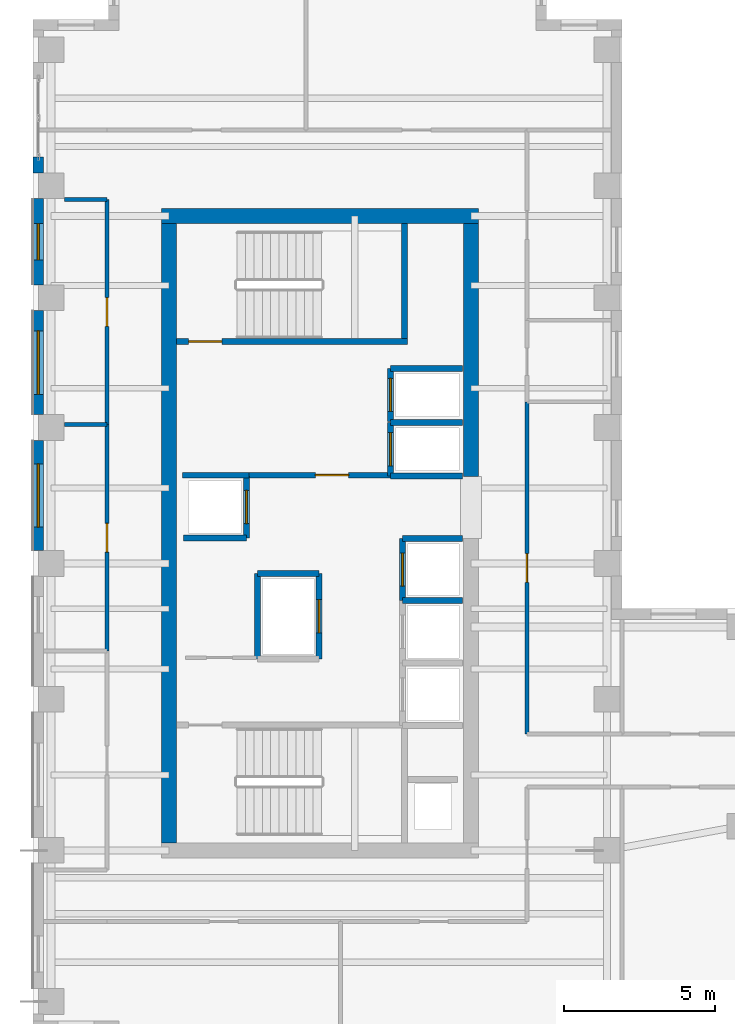
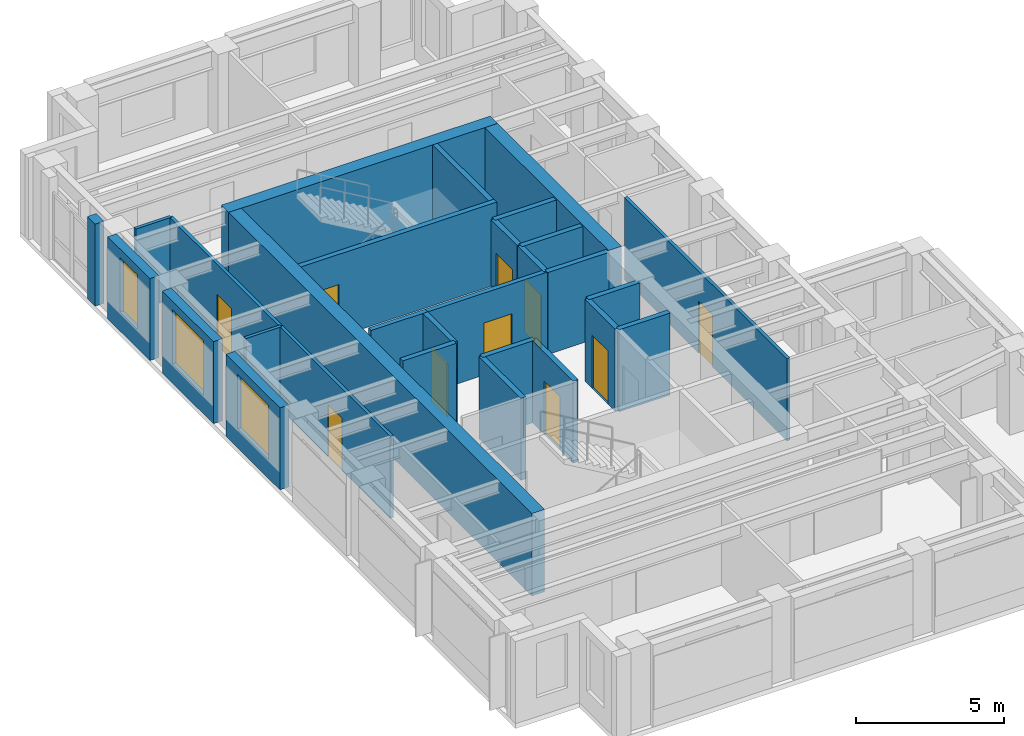
# One storey, part 7 of 10: 29 walls, 10 doors, 3 windows, 13 openings.
"""IFC4 building model written with IfcOpenShell, lengths in metres."""

from ifc_helpers import new_model, si_unit, direction, frame, frame_2d, origin, place, context, subcontext, project, spatial, rectangle, extrude, source, transform, mapped, material, layer, layer_set, type_object, element, fill, save


model = new_model("IFC4")

# Units and contexts
model_context = context("Model", 3, precision=1e-05, world=origin(), true_north=direction((0.0, 1.0)))
body_context = subcontext(model_context, "Body", "Model", "MODEL_VIEW")
ifc_project = project(units=[si_unit("LENGTHUNIT", "METRE"), si_unit("AREAUNIT", "SQUARE_METRE"), si_unit("VOLUMEUNIT", "CUBIC_METRE"), si_unit("PLANEANGLEUNIT", "RADIAN"), si_unit("MASSUNIT", "GRAM", prefix="KILO")], contexts=[model_context])

# Site, building, storey
site_placement = place(None, origin())
site = spatial("IfcSite", under=ifc_project, at=site_placement, CompositionType="ELEMENT")
building_placement = place(site_placement, origin())
building = spatial("IfcBuilding", under=site, at=building_placement, Name="Kharzan Plaza Tower", CompositionType="ELEMENT")
storey_placement = place(building_placement, frame((0.0, 0.0, 266.39990234375)))
storey = spatial("IfcBuildingStorey", under=building, at=storey_placement, Name="L72", CompositionType="ELEMENT", Elevation=266.39990234375)

# Wall, opening, window
ifc_material_1 = material(Name="Concrete C40/50", Category="concrete")
ifc_layer_1 = layer(ifc_material_1, 0.35009765625)
ifc_layer_set_1 = layer_set([ifc_layer_1], Name="Concrete C40/50")
wall_type_1 = type_object("IfcWallType", Name="WL-EXT-MAS-Z4", PredefinedType="SOLIDWALL", material=ifc_layer_set_1)
wall_1_placement = place(storey_placement, frame((0.175048828125, 30.076904296875, 0.0), z_axis=(0.0, 0.0, 1.0), x_axis=(0.0, -1.0, 0.0)))
wall_1 = element("IfcWall", 1, at=wall_1_placement, inside=storey, type_object=wall_type_1, Name="L72 Masonry-Frame Exterior Wall 11", PredefinedType="SOLIDWALL", context=body_context, shape_type="SweptSolid", body=[
    extrude(rectangle(XDim=2.85400390625, YDim=0.35009765625, at=frame_2d((1.427001953125, 0.0))), origin(), (0.0, 0.0, 1.0), 3.385009765625),
])
opening_1_placement = place(wall_1_placement, frame((0.826904296875, 0.0, 0.780029296875)))
opening_1 = element("IfcOpeningElement", 2, at=opening_1_placement, cuts=wall_1, Name="Opening W3", PredefinedType="OPENING", context=body_context, shape_type="SweptSolid", body=[
    extrude(rectangle(XDim=1.199951171875, YDim=2.25, at=frame_2d((0.60009765625, 1.125))), frame((0.0, 0.18505859375, 0.0), z_axis=(0.0, -1.0, 0.0), x_axis=(1.0, 0.0, 0.0)), (0.0, 0.0, 1.0), 0.3701171875),
])
ifc_material_2 = material(Name="Low-E Double Glazing", Category="glass")
window_type_1 = type_object("IfcWindowType", Name="WN-REC-1200x2100", PartitioningType="SINGLE_PANEL", PredefinedType="WINDOW", material=ifc_material_2)
shared_shape_1 = source(origin(), body_context, "Body", "SweptSolid", [
    extrude(rectangle(XDim=1.199951171875, YDim=2.25, at=frame_2d((0.60009765625, 1.125))), frame((0.0, 0.030029296875, 0.0), z_axis=(0.0, -1.0, 0.0), x_axis=(1.0, 0.0, 0.0)), (0.0, 0.0, 1.0), 0.06005859375),
])
window_1_placement = place(opening_1_placement, origin())
window_1 = element("IfcWindow", 3, at=window_1_placement, inside=storey, type_object=window_type_1, Name="L72 Recessed Solar-Control Window 11-1", OverallHeight=2.25, OverallWidth=1.199951171875, PartitioningType="SINGLE_PANEL", PredefinedType="WINDOW", context=body_context, shape_type="MappedRepresentation", body=[
    mapped(shared_shape_1, transform((0.0, 0.0, 0.0), x_axis=(1.0, 0.0, 0.0), y_axis=(0.0, 1.0, 0.0), z_axis=(0.0, 0.0, 1.0))),
])
fill(opening_1, window_1)

wall_2_placement = place(storey_placement, frame((0.175048828125, 26.376953125, 0.0), z_axis=(0.0, 0.0, 1.0), x_axis=(0.0, -1.0, 0.0)))
wall_2 = element("IfcWall", 4, at=wall_2_placement, inside=storey, type_object=wall_type_1, Name="L72 Masonry-Frame Exterior Wall 12", PredefinedType="SOLIDWALL", context=body_context, shape_type="SweptSolid", body=[
    extrude(rectangle(XDim=3.453857421875, YDim=0.35009765625, at=frame_2d((1.72705078125, 0.0))), origin(), (0.0, 0.0, 1.0), 3.385009765625),
])
opening_2_placement = place(wall_2_placement, frame((0.677001953125, 0.0, 0.780029296875)))
opening_2 = element("IfcOpeningElement", 5, at=opening_2_placement, cuts=wall_2, Name="Opening W6", PredefinedType="OPENING", context=body_context, shape_type="SweptSolid", body=[
    extrude(rectangle(XDim=2.10009765625, YDim=2.25, at=frame_2d((1.050048828125, 1.125))), frame((0.0, 0.18505859375, 0.0), z_axis=(0.0, -1.0, 0.0), x_axis=(1.0, 0.0, 0.0)), (0.0, 0.0, 1.0), 0.3701171875),
])
window_type_2 = type_object("IfcWindowType", Name="WN-EXEC-2100x2250", PartitioningType="SINGLE_PANEL", PredefinedType="WINDOW", material=ifc_material_2)
shared_shape_2 = source(origin(), body_context, "Body", "SweptSolid", [
    extrude(rectangle(XDim=2.10009765625, YDim=2.25, at=frame_2d((1.050048828125, 1.125))), frame((0.0, 0.030029296875, 0.0), z_axis=(0.0, -1.0, 0.0), x_axis=(1.0, 0.0, 0.0)), (0.0, 0.0, 1.0), 0.06005859375),
])
window_2_placement = place(opening_2_placement, origin())
window_2 = element("IfcWindow", 6, at=window_2_placement, inside=storey, type_object=window_type_2, Name="L72 Recessed Solar-Control Window 12-1", OverallHeight=2.25, OverallWidth=2.10009765625, PartitioningType="SINGLE_PANEL", PredefinedType="WINDOW", context=body_context, shape_type="MappedRepresentation", body=[
    mapped(shared_shape_2, transform((0.0, 0.0, 0.0), x_axis=(1.0, 0.0, 0.0), y_axis=(0.0, 1.0, 0.0), z_axis=(0.0, 0.0, 1.0))),
])
fill(opening_2, window_2)

wall_3_placement = place(storey_placement, frame((0.175048828125, 22.076904296875, 0.0), z_axis=(0.0, 0.0, 1.0), x_axis=(0.0, -1.0, 0.0)))
wall_3 = element("IfcWall", 7, at=wall_3_placement, inside=storey, type_object=wall_type_1, Name="L72 Masonry-Frame Exterior Wall 13", PredefinedType="SOLIDWALL", context=body_context, shape_type="SweptSolid", body=[
    extrude(rectangle(XDim=3.65380859375, YDim=0.35009765625, at=frame_2d((1.826904296875, 0.0))), origin(), (0.0, 0.0, 1.0), 3.385009765625),
])
opening_3_placement = place(wall_3_placement, frame((0.777099609375, 0.0, 0.780029296875)))
opening_3 = element("IfcOpeningElement", 8, at=opening_3_placement, cuts=wall_3, Name="Opening W6", PredefinedType="OPENING", context=body_context, shape_type="SweptSolid", body=[
    extrude(rectangle(XDim=2.10009765625, YDim=2.25, at=frame_2d((1.050048828125, 1.125))), frame((0.0, 0.18505859375, 0.0), z_axis=(0.0, -1.0, 0.0), x_axis=(1.0, 0.0, 0.0)), (0.0, 0.0, 1.0), 0.3701171875),
])
window_3_placement = place(opening_3_placement, origin())
window_3 = element("IfcWindow", 9, at=window_3_placement, inside=storey, type_object=window_type_2, Name="L72 Recessed Solar-Control Window 13-1", OverallHeight=2.25, OverallWidth=2.10009765625, PartitioningType="SINGLE_PANEL", PredefinedType="WINDOW", context=body_context, shape_type="MappedRepresentation", body=[
    mapped(shared_shape_2, transform((0.0, 0.0, 0.0), x_axis=(1.0, 0.0, 0.0), y_axis=(0.0, 1.0, 0.0), z_axis=(0.0, 0.0, 1.0))),
])
fill(opening_3, window_3)

# Wall, opening, door
ifc_layer_2 = layer(ifc_material_1, 0.179931640625)
ifc_layer_set_2 = layer_set([ifc_layer_2], Name="Concrete C40/50")
wall_type_2 = type_object("IfcWallType", Name="WL-INT-FIRE-180", PredefinedType="PARTITIONING", material=ifc_layer_set_2)
wall_4_placement = place(storey_placement, frame((7.14990234375, 20.919921875, 0.0), z_axis=(0.0, 0.0, 1.0), x_axis=(1.0, 0.0, 0.0)))
wall_4 = element("IfcWall", 10, at=wall_4_placement, inside=storey, type_object=wall_type_2, Name="L72 Interior Partition CA-FF-S", PredefinedType="PARTITIONING", context=body_context, shape_type="SweptSolid", body=[
    extrude(rectangle(XDim=4.68017578125, YDim=0.179931640625, at=frame_2d((2.340087890625, 0.0))), origin(), (0.0, 0.0, 1.0), 3.385009765625),
])
opening_4_placement = place(wall_4_placement, frame((2.199951171875, 0.0, 0.0)))
opening_4 = element("IfcOpeningElement", 11, at=opening_4_placement, cuts=wall_4, Name="Opening FD1", PredefinedType="OPENING", context=body_context, shape_type="SweptSolid", body=[
    extrude(rectangle(XDim=1.10009765625, YDim=2.14990234375, at=frame_2d((0.550048828125, 1.074951171875))), frame((0.0, 0.099853515625, 0.0), z_axis=(0.0, -1.0, 0.0), x_axis=(1.0, 0.0, 0.0)), (0.0, 0.0, 1.0), 0.199951171875),
])
ifc_material_3 = material(Name="Fire-Rated Acoustic Vision-Panel Steel", Category="steel")
door_type_1 = type_object("IfcDoorType", Name="DR-FIRE-LOBBY", OperationType="NOTDEFINED", PredefinedType="DOOR", material=ifc_material_3)
shared_shape_3 = source(origin(), body_context, "Body", "SweptSolid", [
    extrude(rectangle(XDim=1.10009765625, YDim=2.14990234375, at=frame_2d((0.550048828125, 1.074951171875))), frame((0.0, 0.02490234375, 0.0), z_axis=(0.0, -1.0, 0.0), x_axis=(1.0, 0.0, 0.0)), (0.0, 0.0, 1.0), 0.050048828125),
])
door_1_placement = place(opening_4_placement, origin())
door_1 = element("IfcDoor", 12, at=door_1_placement, inside=storey, type_object=door_type_1, Name="L72 Firefighting Lobby Door", OperationType="SINGLE_SWING_LEFT", OverallHeight=2.14990234375, OverallWidth=1.10009765625, PredefinedType="DOOR", context=body_context, shape_type="MappedRepresentation", body=[
    mapped(shared_shape_3, transform((0.0, 0.0, 0.0), x_axis=(1.0, 0.0, 0.0), y_axis=(0.0, 1.0, 0.0), z_axis=(0.0, 0.0, 1.0))),
])
fill(opening_4, door_1)

ifc_material_4 = material(Name="Fire-Rated Gypsum Board Partition", Category="gypsum")
ifc_layer_3 = layer(ifc_material_4, 0.125)
ifc_layer_set_3 = layer_set([ifc_layer_3], Name="Fire-Rated Gypsum Board Partition")
wall_type_3 = type_object("IfcWallType", Name="WL-INT-PART-125", PredefinedType="PARTITIONING", material=ifc_layer_set_3)
wall_5_placement = place(storey_placement, frame((16.35009765625, 12.35009765625, 0.0), z_axis=(0.0, 0.0, 1.0), x_axis=(0.0, 1.0, 0.0)))
wall_5 = element("IfcWall", 13, at=wall_5_placement, inside=storey, type_object=wall_type_3, Name="L72 Interior Partition SH-AEW2", PredefinedType="PARTITIONING", context=body_context, shape_type="SweptSolid", body=[
    extrude(rectangle(XDim=11.0, YDim=0.125, at=frame_2d((5.5, 0.0))), origin(), (0.0, 0.0, 1.0), 3.385009765625),
])
opening_5_placement = place(wall_5_placement, frame((5.02490234375, 0.0, 0.0)))
opening_5 = element("IfcOpeningElement", 14, at=opening_5_placement, cuts=wall_5, Name="Opening OD1", PredefinedType="OPENING", context=body_context, shape_type="SweptSolid", body=[
    extrude(rectangle(XDim=0.949951171875, YDim=2.14990234375, at=frame_2d((0.47509765625, 1.074951171875))), frame((0.0, 0.072509765625, 0.0), z_axis=(0.0, -1.0, 0.0), x_axis=(1.0, 0.0, 0.0)), (0.0, 0.0, 1.0), 0.14501953125),
])
ifc_material_5 = material(Name="Acoustic Solid-Core Stained Oak", Category="timber")
door_type_2 = type_object("IfcDoorType", Name="DR-OFF-SINGLE", OperationType="NOTDEFINED", PredefinedType="DOOR", material=ifc_material_5)
shared_shape_4 = source(origin(), body_context, "Body", "SweptSolid", [
    extrude(rectangle(XDim=0.949951171875, YDim=2.14990234375, at=frame_2d((0.47509765625, 1.074951171875))), frame((0.0, 0.02490234375, 0.0), z_axis=(0.0, -1.0, 0.0), x_axis=(1.0, 0.0, 0.0)), (0.0, 0.0, 1.0), 0.050048828125),
])
door_2_placement = place(opening_5_placement, origin())
door_2 = element("IfcDoor", 15, at=door_2_placement, inside=storey, type_object=door_type_2, Name="L72 Briefing Room Door", OperationType="SINGLE_SWING_LEFT", OverallHeight=2.14990234375, OverallWidth=0.949951171875, PredefinedType="DOOR", context=body_context, shape_type="MappedRepresentation", body=[
    mapped(shared_shape_4, transform((0.0, 0.0, 0.0), x_axis=(1.0, 0.0, 0.0), y_axis=(0.0, 1.0, 0.0), z_axis=(0.0, 0.0, 1.0))),
])
fill(opening_5, door_2)

wall_6_placement = place(storey_placement, frame((2.449951171875, 15.10009765625, 0.0), z_axis=(0.0, 0.0, 1.0), x_axis=(0.0, 1.0, 0.0)))
wall_6 = element("IfcWall", 16, at=wall_6_placement, inside=storey, type_object=wall_type_3, Name="L72 Interior Partition SH-WW-2", PredefinedType="PARTITIONING", context=body_context, shape_type="SweptSolid", body=[
    extrude(rectangle(XDim=7.5, YDim=0.125, at=frame_2d((3.75, 0.0))), origin(), (0.0, 0.0, 1.0), 3.385009765625),
])
opening_6_placement = place(wall_6_placement, frame((3.27490234375, 0.0, 0.0)))
opening_6 = element("IfcOpeningElement", 17, at=opening_6_placement, cuts=wall_6, Name="Opening OD1", PredefinedType="OPENING", context=body_context, shape_type="SweptSolid", body=[
    extrude(rectangle(XDim=0.949951171875, YDim=2.14990234375, at=frame_2d((0.47509765625, 1.074951171875))), frame((0.0, 0.072509765625, 0.0), z_axis=(0.0, -1.0, 0.0), x_axis=(1.0, 0.0, 0.0)), (0.0, 0.0, 1.0), 0.14501953125),
])
door_3_placement = place(opening_6_placement, origin())
door_3 = element("IfcDoor", 18, at=door_3_placement, inside=storey, type_object=door_type_2, Name="L72 Sprint Review Meeting Room Door", OperationType="SINGLE_SWING_RIGHT", OverallHeight=2.14990234375, OverallWidth=0.949951171875, PredefinedType="DOOR", context=body_context, shape_type="MappedRepresentation", body=[
    mapped(shared_shape_4, transform((0.0, 0.0, 0.0), x_axis=(1.0, 0.0, 0.0), y_axis=(0.0, 1.0, 0.0), z_axis=(0.0, 0.0, 1.0))),
])
fill(opening_6, door_3)

wall_7_placement = place(storey_placement, frame((2.449951171875, 22.60009765625, 0.0), z_axis=(0.0, 0.0, 1.0), x_axis=(0.0, 1.0, 0.0)))
wall_7 = element("IfcWall", 19, at=wall_7_placement, inside=storey, type_object=wall_type_3, Name="L72 Interior Partition SH-WW-3", PredefinedType="PARTITIONING", context=body_context, shape_type="SweptSolid", body=[
    extrude(rectangle(XDim=7.449951171875, YDim=0.125, at=frame_2d((3.72509765625, 0.0))), origin(), (0.0, 0.0, 1.0), 3.385009765625),
])
opening_7_placement = place(wall_7_placement, frame((3.25, 0.0, 0.0)))
opening_7 = element("IfcOpeningElement", 20, at=opening_7_placement, cuts=wall_7, Name="Opening OD1", PredefinedType="OPENING", context=body_context, shape_type="SweptSolid", body=[
    extrude(rectangle(XDim=0.949951171875, YDim=2.14990234375, at=frame_2d((0.47509765625, 1.074951171875))), frame((0.0, 0.072509765625, 0.0), z_axis=(0.0, -1.0, 0.0), x_axis=(1.0, 0.0, 0.0)), (0.0, 0.0, 1.0), 0.14501953125),
])
door_4_placement = place(opening_7_placement, origin())
door_4 = element("IfcDoor", 21, at=door_4_placement, inside=storey, type_object=door_type_2, Name="L72 Hardware Staging Store Door", OperationType="SINGLE_SWING_LEFT", OverallHeight=2.14990234375, OverallWidth=0.949951171875, PredefinedType="DOOR", context=body_context, shape_type="MappedRepresentation", body=[
    mapped(shared_shape_4, transform((0.0, 0.0, 0.0), x_axis=(1.0, 0.0, 0.0), y_axis=(0.0, 1.0, 0.0), z_axis=(0.0, 0.0, 1.0))),
])
fill(opening_7, door_4)

ifc_layer_4 = layer(ifc_material_1, 0.199951171875)
ifc_layer_set_4 = layer_set([ifc_layer_4], Name="Concrete C40/50")
wall_type_4 = type_object("IfcWallType", Name="WL-INT-SHAFT-200", PredefinedType="PARTITIONING", material=ifc_layer_set_4)
wall_8_placement = place(storey_placement, frame((11.830078125, 20.89990234375, 0.0), z_axis=(0.0, 0.0, 1.0), x_axis=(0.0, 1.0, 0.0)))
wall_8 = element("IfcWall", 22, at=wall_8_placement, inside=storey, type_object=wall_type_4, Name="L72 Interior Partition SHF-FFL-1-W", PredefinedType="PARTITIONING", context=body_context, shape_type="SweptSolid", body=[
    extrude(rectangle(XDim=1.760009765625, YDim=0.199951171875, at=frame_2d((0.8798828125, 0.0))), origin(), (0.0, 0.0, 1.0), 3.385009765625),
])
opening_8_placement = place(wall_8_placement, frame((0.330078125, 0.0, 0.0)))
opening_8 = element("IfcOpeningElement", 23, at=opening_8_placement, cuts=wall_8, Name="Opening LD", PredefinedType="OPENING", context=body_context, shape_type="SweptSolid", body=[
    extrude(rectangle(XDim=1.10009765625, YDim=2.199951171875, at=frame_2d((0.550048828125, 1.10009765625))), frame((0.0, 0.10986328125, 0.0), z_axis=(0.0, -1.0, 0.0), x_axis=(1.0, 0.0, 0.0)), (0.0, 0.0, 1.0), 0.219970703125),
])
ifc_material_6 = material(Name="Brushed Stainless Steel", Category="steel")
door_type_3 = type_object("IfcDoorType", Name="DR-LIFT-SLIDE", OperationType="SLIDING_TO_LEFT", PredefinedType="DOOR", material=ifc_material_6)
shared_shape_5 = source(origin(), body_context, "Body", "SweptSolid", [
    extrude(rectangle(XDim=1.10009765625, YDim=2.199951171875, at=frame_2d((0.550048828125, 1.10009765625))), frame((0.0, 0.02490234375, 0.0), z_axis=(0.0, -1.0, 0.0), x_axis=(1.0, 0.0, 0.0)), (0.0, 0.0, 1.0), 0.050048828125),
])
door_5_placement = place(opening_8_placement, origin())
door_5 = element("IfcDoor", 24, at=door_5_placement, inside=storey, type_object=door_type_3, Name="L72 Firefighting Lift FFL-1 Sliding Landing Door", OperationType="SLIDING_TO_LEFT", OverallHeight=2.199951171875, OverallWidth=1.10009765625, PredefinedType="DOOR", context=body_context, shape_type="MappedRepresentation", body=[
    mapped(shared_shape_5, transform((0.0, 0.0, 0.0), x_axis=(1.0, 0.0, 0.0), y_axis=(0.0, 1.0, 0.0), z_axis=(0.0, 0.0, 1.0))),
])
fill(opening_8, door_5)

wall_9_placement = place(storey_placement, frame((11.830078125, 22.699951171875, 0.0), z_axis=(0.0, 0.0, 1.0), x_axis=(0.0, 1.0, 0.0)))
wall_9 = element("IfcWall", 25, at=wall_9_placement, inside=storey, type_object=wall_type_4, Name="L72 Interior Partition SHF-FFL-2-W", PredefinedType="PARTITIONING", context=body_context, shape_type="SweptSolid", body=[
    extrude(rectangle(XDim=1.760009765625, YDim=0.199951171875, at=frame_2d((0.8798828125, 0.0))), origin(), (0.0, 0.0, 1.0), 3.385009765625),
])
opening_9_placement = place(wall_9_placement, frame((0.330078125, 0.0, 0.0)))
opening_9 = element("IfcOpeningElement", 26, at=opening_9_placement, cuts=wall_9, Name="Opening LD", PredefinedType="OPENING", context=body_context, shape_type="SweptSolid", body=[
    extrude(rectangle(XDim=1.10009765625, YDim=2.199951171875, at=frame_2d((0.550048828125, 1.10009765625))), frame((0.0, 0.10986328125, 0.0), z_axis=(0.0, -1.0, 0.0), x_axis=(1.0, 0.0, 0.0)), (0.0, 0.0, 1.0), 0.219970703125),
])
door_6_placement = place(opening_9_placement, origin())
door_6 = element("IfcDoor", 27, at=door_6_placement, inside=storey, type_object=door_type_3, Name="L72 Firefighting Lift FFL-2 Sliding Landing Door", OperationType="SLIDING_TO_LEFT", OverallHeight=2.199951171875, OverallWidth=1.10009765625, PredefinedType="DOOR", context=body_context, shape_type="MappedRepresentation", body=[
    mapped(shared_shape_5, transform((0.0, 0.0, 0.0), x_axis=(1.0, 0.0, 0.0), y_axis=(0.0, 1.0, 0.0), z_axis=(0.0, 0.0, 1.0))),
])
fill(opening_9, door_6)

wall_10_placement = place(storey_placement, frame((12.22998046875, 16.77001953125, 0.0), z_axis=(0.0, 0.0, 1.0), x_axis=(0.0, 1.0, 0.0)))
wall_10 = element("IfcWall", 28, at=wall_10_placement, inside=storey, type_object=wall_type_4, Name="L72 Interior Partition SHF-PL-H3-W", PredefinedType="PARTITIONING", context=body_context, shape_type="SweptSolid", body=[
    extrude(rectangle(XDim=2.050048828125, YDim=0.199951171875, at=frame_2d((1.02490234375, 0.0))), origin(), (0.0, 0.0, 1.0), 3.385009765625),
])
opening_10_placement = place(wall_10_placement, frame((0.47509765625, 0.0, 0.0)))
opening_10 = element("IfcOpeningElement", 29, at=opening_10_placement, cuts=wall_10, Name="Opening LD", PredefinedType="OPENING", context=body_context, shape_type="SweptSolid", body=[
    extrude(rectangle(XDim=1.10009765625, YDim=2.199951171875, at=frame_2d((0.550048828125, 1.10009765625))), frame((0.0, 0.10986328125, 0.0), z_axis=(0.0, -1.0, 0.0), x_axis=(1.0, 0.0, 0.0)), (0.0, 0.0, 1.0), 0.219970703125),
])
door_7_placement = place(opening_10_placement, origin())
door_7 = element("IfcDoor", 30, at=door_7_placement, inside=storey, type_object=door_type_3, Name="L72 High-Rise Passenger Lift PL-H3 Sliding Landing Door", OperationType="SLIDING_TO_LEFT", OverallHeight=2.199951171875, OverallWidth=1.10009765625, PredefinedType="DOOR", context=body_context, shape_type="MappedRepresentation", body=[
    mapped(shared_shape_5, transform((0.0, 0.0, 0.0), x_axis=(1.0, 0.0, 0.0), y_axis=(0.0, 1.0, 0.0), z_axis=(0.0, 0.0, 1.0))),
])
fill(opening_10, door_7)

wall_11_placement = place(storey_placement, frame((7.070068359375, 18.840087890625, 0.0), z_axis=(0.0, 0.0, 1.0), x_axis=(0.0, 1.0, 0.0)))
wall_11 = element("IfcWall", 31, at=wall_11_placement, inside=storey, type_object=wall_type_4, Name="L72 Interior Partition SHF-PL-H4-E", PredefinedType="PARTITIONING", context=body_context, shape_type="SweptSolid", body=[
    extrude(rectangle(XDim=2.059814453125, YDim=0.199951171875, at=frame_2d((1.02978515625, 0.0))), origin(), (0.0, 0.0, 1.0), 3.385009765625),
])
opening_11_placement = place(wall_11_placement, frame((0.47998046875, 0.0, 0.0)))
opening_11 = element("IfcOpeningElement", 32, at=opening_11_placement, cuts=wall_11, Name="Opening LD", PredefinedType="OPENING", context=body_context, shape_type="SweptSolid", body=[
    extrude(rectangle(XDim=1.10009765625, YDim=2.199951171875, at=frame_2d((0.550048828125, 1.10009765625))), frame((0.0, 0.10986328125, 0.0), z_axis=(0.0, -1.0, 0.0), x_axis=(1.0, 0.0, 0.0)), (0.0, 0.0, 1.0), 0.219970703125),
])
door_8_placement = place(opening_11_placement, origin())
door_8 = element("IfcDoor", 33, at=door_8_placement, inside=storey, type_object=door_type_3, Name="L72 High-Rise Passenger Lift PL-H4 Sliding Landing Door", OperationType="SLIDING_TO_LEFT", OverallHeight=2.199951171875, OverallWidth=1.10009765625, PredefinedType="DOOR", context=body_context, shape_type="MappedRepresentation", body=[
    mapped(shared_shape_5, transform((0.0, 0.0, 0.0), x_axis=(1.0, 0.0, 0.0), y_axis=(0.0, 1.0, 0.0), z_axis=(0.0, 0.0, 1.0))),
])
fill(opening_11, door_8)

wall_12_placement = place(storey_placement, frame((9.469970703125, 14.830078125, 0.0), z_axis=(0.0, 0.0, 1.0), x_axis=(0.0, 1.0, 0.0)))
wall_12 = element("IfcWall", 34, at=wall_12_placement, inside=storey, type_object=wall_type_4, Name="L72 Interior Partition SHF-SVL-1-E", PredefinedType="PARTITIONING", context=body_context, shape_type="SweptSolid", body=[
    extrude(rectangle(XDim=2.83984375, YDim=0.199951171875, at=frame_2d((1.419921875, 0.0))), origin(), (0.0, 0.0, 1.0), 3.385009765625),
])
opening_12_placement = place(wall_12_placement, frame((0.8701171875, 0.0, 0.0)))
opening_12 = element("IfcOpeningElement", 35, at=opening_12_placement, cuts=wall_12, Name="Opening LD", PredefinedType="OPENING", context=body_context, shape_type="SweptSolid", body=[
    extrude(rectangle(XDim=1.10009765625, YDim=2.199951171875, at=frame_2d((0.550048828125, 1.10009765625))), frame((0.0, 0.10986328125, 0.0), z_axis=(0.0, -1.0, 0.0), x_axis=(1.0, 0.0, 0.0)), (0.0, 0.0, 1.0), 0.219970703125),
])
door_9_placement = place(opening_12_placement, origin())
door_9 = element("IfcDoor", 36, at=door_9_placement, inside=storey, type_object=door_type_3, Name="L72 Service Lift SVL-1 Sliding Landing Door", OperationType="SLIDING_TO_LEFT", OverallHeight=2.199951171875, OverallWidth=1.10009765625, PredefinedType="DOOR", context=body_context, shape_type="MappedRepresentation", body=[
    mapped(shared_shape_5, transform((0.0, 0.0, 0.0), x_axis=(1.0, 0.0, 0.0), y_axis=(0.0, 1.0, 0.0), z_axis=(0.0, 0.0, 1.0))),
])
fill(opening_12, door_9)

ifc_material_7 = material(Name="Concrete C50/60", Category="concrete")
ifc_layer_5 = layer(ifc_material_7, 0.199951171875)
ifc_layer_set_5 = layer_set([ifc_layer_5], Name="Concrete C50/60")
wall_type_5 = type_object("IfcWallType", Name="WL-SHAFT-RC200", PredefinedType="SHEAR", material=ifc_layer_set_5)
wall_13_placement = place(storey_placement, frame((4.751953125, 25.344970703125, 0.0), z_axis=(0.0, 0.0, 1.0), x_axis=(1.0, 0.0, 0.0)))
wall_13 = element("IfcWall", 37, at=wall_13_placement, inside=storey, type_object=wall_type_5, Name="L72 Stair ST-2 South RC Shaft Wall", PredefinedType="SHEAR", context=body_context, shape_type="SweptSolid", body=[
    extrude(rectangle(XDim=7.653076171875, YDim=0.199951171875, at=frame_2d((3.82666015625, 0.0))), origin(), (0.0, 0.0, 1.0), 3.400146484375),
])
opening_13_placement = place(wall_13_placement, frame((0.39990234375, 0.0, 0.0)))
opening_13 = element("IfcOpeningElement", 38, at=opening_13_placement, cuts=wall_13, Name="Opening SD1", PredefinedType="OPENING", context=body_context, shape_type="SweptSolid", body=[
    extrude(rectangle(XDim=1.10009765625, YDim=2.14990234375, at=frame_2d((0.550048828125, 1.074951171875))), frame((0.0, 0.10986328125, 0.0), z_axis=(0.0, -1.0, 0.0), x_axis=(1.0, 0.0, 0.0)), (0.0, 0.0, 1.0), 0.219970703125),
])
ifc_material_8 = material(Name="Fire-Rated Hollow Galvanized Steel", Category="steel")
door_type_4 = type_object("IfcDoorType", Name="DR-STAIR-FD120", OperationType="NOTDEFINED", PredefinedType="DOOR", material=ifc_material_8)
shared_shape_6 = source(origin(), body_context, "Body", "SweptSolid", [
    extrude(rectangle(XDim=1.10009765625, YDim=2.14990234375, at=frame_2d((0.550048828125, 1.074951171875))), frame((0.0, 0.02490234375, 0.0), z_axis=(0.0, -1.0, 0.0), x_axis=(1.0, 0.0, 0.0)), (0.0, 0.0, 1.0), 0.050048828125),
])
door_10_placement = place(opening_13_placement, origin())
door_10 = element("IfcDoor", 39, at=door_10_placement, inside=storey, type_object=door_type_4, Name="L72 Stair ST-2 Fire Exit Door", OperationType="SINGLE_SWING_RIGHT", OverallHeight=2.14990234375, OverallWidth=1.10009765625, PredefinedType="DOOR", context=body_context, shape_type="MappedRepresentation", body=[
    mapped(shared_shape_6, transform((0.0, 0.0, 0.0), x_axis=(1.0, 0.0, 0.0), y_axis=(0.0, 1.0, 0.0), z_axis=(0.0, 0.0, 1.0))),
])
fill(opening_13, door_10)

# Walls
shared_shape_7 = source(origin(), body_context, "Body", "SweptSolid", [
    extrude(rectangle(XDim=2.199951171875, YDim=0.179931640625, at=frame_2d((1.10009765625, 0.0))), origin(), (0.0, 0.0, 1.0), 3.385009765625),
])
wall_14_placement = place(storey_placement, frame((4.949951171875, 20.919921875, 0.0), z_axis=(0.0, 0.0, 1.0), x_axis=(1.0, 0.0, 0.0)))
element("IfcWall", 40, at=wall_14_placement, inside=storey, type_object=wall_type_2, Name="L72 Interior Partition CA-FF-SW", PredefinedType="PARTITIONING", context=body_context, shape_type="MappedRepresentation", body=[
    mapped(shared_shape_7, transform((0.0, 0.0, 0.0), x_axis=(1.0, 0.0, 0.0), y_axis=(0.0, 1.0, 0.0), z_axis=(0.0, 0.0, 1.0))),
])
shared_shape_8 = source(origin(), body_context, "Body", "SweptSolid", [
    extrude(rectangle(XDim=2.090087890625, YDim=0.199951171875, at=frame_2d((1.044921875, 0.0))), origin(), (0.0, 0.0, 1.0), 3.385009765625),
])
wall_15_placement = place(storey_placement, frame((4.97998046875, 18.840087890625, 0.0), z_axis=(0.0, 0.0, 1.0), x_axis=(1.0, 0.0, 0.0)))
element("IfcWall", 41, at=wall_15_placement, inside=storey, type_object=wall_type_4, Name="L72 Interior Partition SHF-PL-H4-S", PredefinedType="PARTITIONING", context=body_context, shape_type="MappedRepresentation", body=[
    mapped(shared_shape_8, transform((0.0, 0.0, 0.0), x_axis=(1.0, 0.0, 0.0), y_axis=(0.0, 1.0, 0.0), z_axis=(0.0, 0.0, 1.0))),
])
shared_shape_9 = source(origin(), body_context, "Body", "SweptSolid", [
    extrude(rectangle(XDim=2.0400390625, YDim=0.199951171875, at=frame_2d((1.02001953125, 0.0))), origin(), (0.0, 0.0, 1.0), 3.385009765625),
])
wall_16_placement = place(storey_placement, frame((7.429931640625, 17.669921875, 0.0), z_axis=(0.0, 0.0, 1.0), x_axis=(1.0, 0.0, 0.0)))
element("IfcWall", 42, at=wall_16_placement, inside=storey, type_object=wall_type_4, Name="L72 Interior Partition SHF-SVL-1-N", PredefinedType="PARTITIONING", context=body_context, shape_type="MappedRepresentation", body=[
    mapped(shared_shape_9, transform((0.0, 0.0, 0.0), x_axis=(1.0, 0.0, 0.0), y_axis=(0.0, 1.0, 0.0), z_axis=(0.0, 0.0, 1.0))),
])
shared_shape_10 = source(origin(), body_context, "Body", "SweptSolid", [
    extrude(rectangle(XDim=2.83984375, YDim=0.199951171875, at=frame_2d((1.419921875, 0.0))), origin(), (0.0, 0.0, 1.0), 3.385009765625),
])
wall_17_placement = place(storey_placement, frame((7.429931640625, 14.830078125, 0.0), z_axis=(0.0, 0.0, 1.0), x_axis=(0.0, 1.0, 0.0)))
element("IfcWall", 43, at=wall_17_placement, inside=storey, type_object=wall_type_4, Name="L72 Interior Partition SHF-SVL-1-W", PredefinedType="PARTITIONING", context=body_context, shape_type="MappedRepresentation", body=[
    mapped(shared_shape_10, transform((0.0, 0.0, 0.0), x_axis=(1.0, 0.0, 0.0), y_axis=(0.0, 1.0, 0.0), z_axis=(0.0, 0.0, 1.0))),
])
ifc_layer_6 = layer(ifc_material_7, 0.5)
ifc_layer_set_6 = layer_set([ifc_layer_6], Name="Concrete C50/60")
wall_type_6 = type_object("IfcWallType", Name="WL-CORE-500", PredefinedType="SHEAR", material=ifc_layer_set_6)
shared_shape_11 = source(origin(), body_context, "Body", "SweptSolid", [
    extrude(rectangle(XDim=8.3701171875, YDim=0.5, at=frame_2d((4.18505859375, 0.0))), origin(), (0.0, 0.0, 1.0), 3.400146484375),
])
wall_18_placement = place(storey_placement, frame((14.5, 20.8798828125, 0.0), z_axis=(0.0, 0.0, 1.0), x_axis=(0.0, 1.0, 0.0)))
element("IfcWall", 44, at=wall_18_placement, inside=storey, type_object=wall_type_6, Name="L72 CORE-A east shear pier 2", PredefinedType="SHEAR", context=body_context, shape_type="MappedRepresentation", body=[
    mapped(shared_shape_11, transform((0.0, 0.0, 0.0), x_axis=(1.0, 0.0, 0.0), y_axis=(0.0, 1.0, 0.0), z_axis=(0.0, 0.0, 1.0))),
])
shared_shape_12 = source(origin(), body_context, "Body", "SweptSolid", [
    extrude(rectangle(XDim=10.5, YDim=0.5, at=frame_2d((5.25, 0.0))), origin(), (0.0, 0.0, 1.0), 3.400146484375),
])
wall_19_placement = place(storey_placement, frame((4.25, 29.5, 0.0), z_axis=(0.0, 0.0, 1.0), x_axis=(1.0, 0.0, 0.0)))
element("IfcWall", 45, at=wall_19_placement, inside=storey, type_object=wall_type_6, Name="L72 CORE-A north RC shear wall", PredefinedType="SHEAR", context=body_context, shape_type="MappedRepresentation", body=[
    mapped(shared_shape_12, transform((0.0, 0.0, 0.0), x_axis=(1.0, 0.0, 0.0), y_axis=(0.0, 1.0, 0.0), z_axis=(0.0, 0.0, 1.0))),
])
shared_shape_13 = source(origin(), body_context, "Body", "SweptSolid", [
    extrude(rectangle(XDim=20.5, YDim=0.5, at=frame_2d((10.25, 0.0))), origin(), (0.0, 0.0, 1.0), 3.400146484375),
])
wall_20_placement = place(storey_placement, frame((4.5, 8.75, 0.0), z_axis=(0.0, 0.0, 1.0), x_axis=(0.0, 1.0, 0.0)))
element("IfcWall", 46, at=wall_20_placement, inside=storey, type_object=wall_type_6, Name="L72 CORE-A west RC shear wall", PredefinedType="SHEAR", context=body_context, shape_type="MappedRepresentation", body=[
    mapped(shared_shape_13, transform((0.0, 0.0, 0.0), x_axis=(1.0, 0.0, 0.0), y_axis=(0.0, 1.0, 0.0), z_axis=(0.0, 0.0, 1.0))),
])
shared_shape_14 = source(origin(), body_context, "Body", "SweptSolid", [
    extrude(rectangle(XDim=0.52685546875, YDim=0.35009765625, at=frame_2d((0.263427734375, 0.0))), origin(), (0.0, 0.0, 1.0), 3.385009765625),
])
wall_21_placement = place(storey_placement, frame((0.175048828125, 31.449951171875, 0.0), z_axis=(0.0, 0.0, 1.0), x_axis=(0.0, -1.0, 0.0)))
element("IfcWall", 47, at=wall_21_placement, inside=storey, type_object=wall_type_1, Name="L72 Masonry-Frame Exterior Wall 10", PredefinedType="SOLIDWALL", context=body_context, shape_type="MappedRepresentation", body=[
    mapped(shared_shape_14, transform((0.0, 0.0, 0.0), x_axis=(1.0, 0.0, 0.0), y_axis=(0.0, 1.0, 0.0), z_axis=(0.0, 0.0, 1.0))),
])
shared_shape_15 = source(origin(), body_context, "Body", "SweptSolid", [
    extrude(rectangle(XDim=2.389892578125, YDim=0.199951171875, at=frame_2d((1.19482421875, 0.0))), origin(), (0.0, 0.0, 1.0), 3.385009765625),
])
for number, where, z_axis, x_axis, name in (
    (48, (11.830078125, 22.659912109375, 0.0), (0.0, 0.0, 1.0), (1.0, 0.0, 0.0), "L72 Interior Partition SHF-FFL-1-N"),
    (49, (11.830078125, 20.89990234375, 0.0), (0.0, 0.0, 1.0), (1.0, 0.0, 0.0), "L72 Interior Partition SHF-FFL-1-S"),
    (50, (11.830078125, 24.4599609375, 0.0), (0.0, 0.0, 1.0), (1.0, 0.0, 0.0), "L72 Interior Partition SHF-FFL-2-N"),
):
    element("IfcWall", number, at=place(storey_placement, frame(where, z_axis=z_axis, x_axis=x_axis)), inside=storey, type_object=wall_type_4, Name=name, PredefinedType="PARTITIONING", context=body_context, shape_type="MappedRepresentation", body=[
        mapped(shared_shape_15, transform((0.0, 0.0, 0.0), x_axis=(1.0, 0.0, 0.0), y_axis=(0.0, 1.0, 0.0), z_axis=(0.0, 0.0, 1.0))),
    ])
shared_shape_16 = source(origin(), body_context, "Body", "SweptSolid", [
    extrude(rectangle(XDim=1.989990234375, YDim=0.199951171875, at=frame_2d((0.9951171875, 0.0))), origin(), (0.0, 0.0, 1.0), 3.385009765625),
])
for number, where, z_axis, x_axis, name in (
    (51, (12.22998046875, 16.77001953125, 0.0), (0.0, 0.0, 1.0), (1.0, 0.0, 0.0), "L72 Interior Partition SHF-PL-H2-N"),
    (52, (12.22998046875, 18.820068359375, 0.0), (0.0, 0.0, 1.0), (1.0, 0.0, 0.0), "L72 Interior Partition SHF-PL-H3-N"),
):
    element("IfcWall", number, at=place(storey_placement, frame(where, z_axis=z_axis, x_axis=x_axis)), inside=storey, type_object=wall_type_4, Name=name, PredefinedType="PARTITIONING", context=body_context, shape_type="MappedRepresentation", body=[
        mapped(shared_shape_16, transform((0.0, 0.0, 0.0), x_axis=(1.0, 0.0, 0.0), y_axis=(0.0, 1.0, 0.0), z_axis=(0.0, 0.0, 1.0))),
    ])
shared_shape_17 = source(origin(), body_context, "Body", "SweptSolid", [
    extrude(rectangle(XDim=3.802978515625, YDim=0.199951171875, at=frame_2d((1.9013671875, 0.0))), origin(), (0.0, 0.0, 1.0), 3.400146484375),
])
wall_22_placement = place(storey_placement, frame((12.304931640625, 25.445068359375, 0.0), z_axis=(0.0, 0.0, 1.0), x_axis=(0.0, 1.0, 0.0)))
element("IfcWall", 53, at=wall_22_placement, inside=storey, type_object=wall_type_5, Name="L72 Stair ST-2 East RC Shaft Wall", PredefinedType="SHEAR", context=body_context, shape_type="MappedRepresentation", body=[
    mapped(shared_shape_17, transform((0.0, 0.0, 0.0), x_axis=(1.0, 0.0, 0.0), y_axis=(0.0, 1.0, 0.0), z_axis=(0.0, 0.0, 1.0))),
])
shared_shape_18 = source(origin(), body_context, "Body", "SweptSolid", [
    extrude(rectangle(XDim=1.39990234375, YDim=0.125, at=frame_2d((0.699951171875, 0.0))), origin(), (0.0, 0.0, 1.0), 3.385009765625),
])
for number, where, z_axis, x_axis, name in (
    (54, (1.050048828125, 30.050048828125, 0.0), (0.0, 0.0, 1.0), (1.0, 0.0, 0.0), "L72 Interior Partition SH-RWN0"),
    (55, (1.050048828125, 22.60009765625, 0.0), (0.0, 0.0, 1.0), (1.0, 0.0, 0.0), "L72 Interior Partition SH-WH-2"),
):
    element("IfcWall", number, at=place(storey_placement, frame(where, z_axis=z_axis, x_axis=x_axis)), inside=storey, type_object=wall_type_3, Name=name, PredefinedType="PARTITIONING", context=body_context, shape_type="MappedRepresentation", body=[
        mapped(shared_shape_18, transform((0.0, 0.0, 0.0), x_axis=(1.0, 0.0, 0.0), y_axis=(0.0, 1.0, 0.0), z_axis=(0.0, 0.0, 1.0))),
    ])

save(model, "model.ifc")
